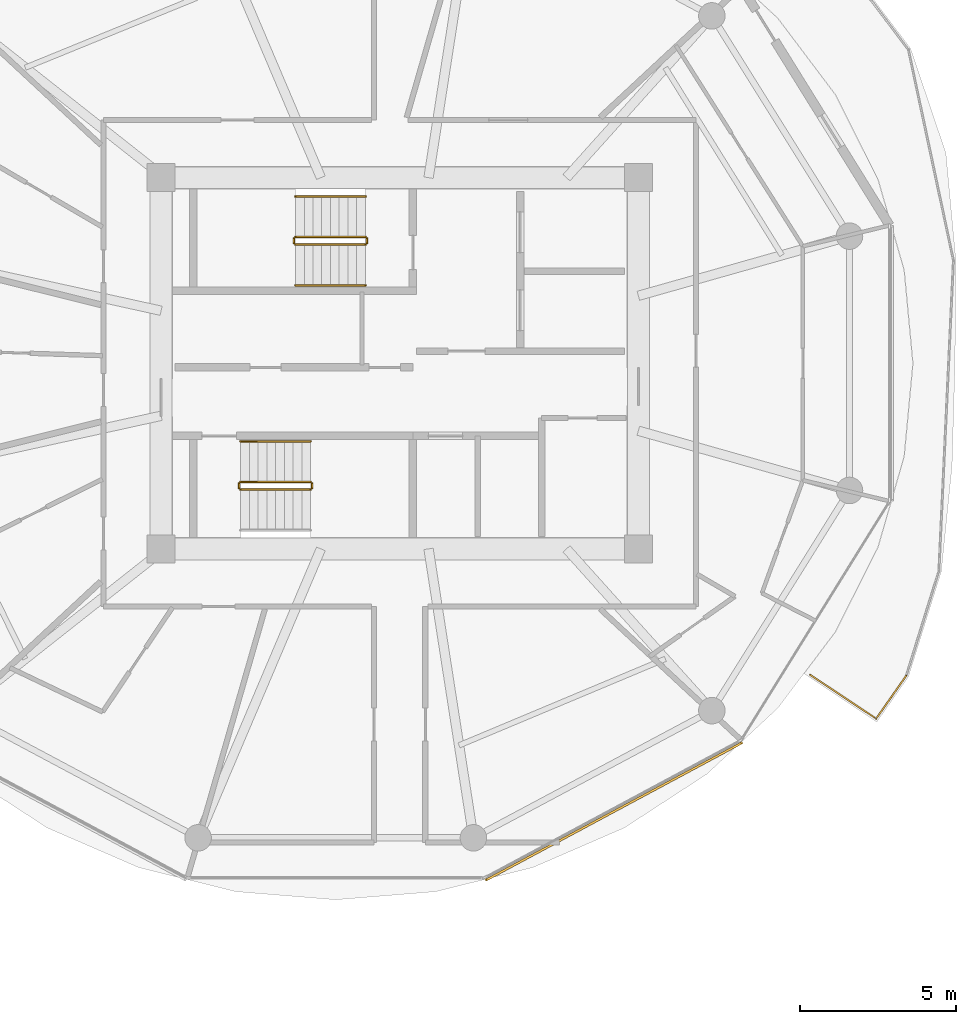
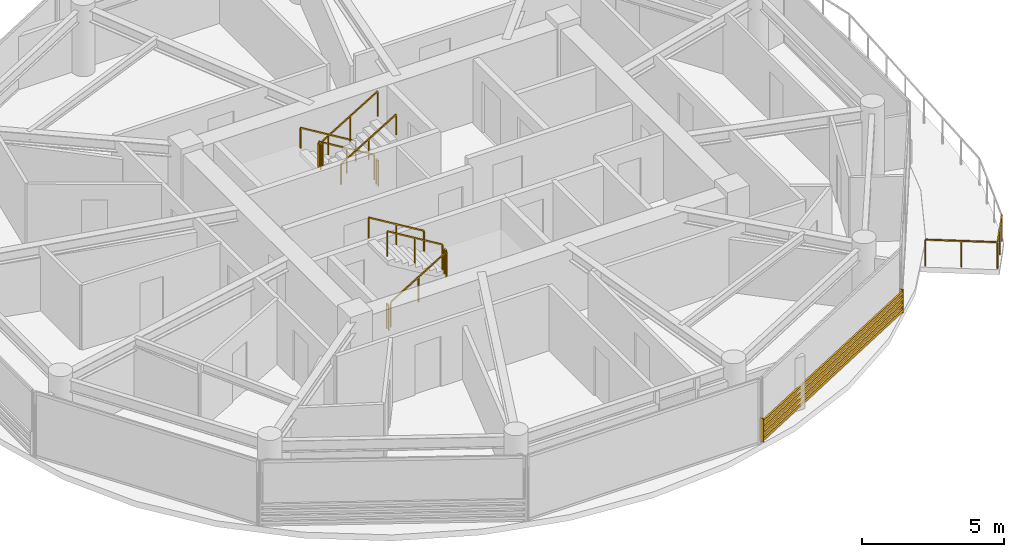
# One storey, part 23 of 24: 12 railings, 1 shading device.
"""IFC4 building model written with IfcOpenShell, lengths in metres."""

from ifc_helpers import new_model, si_unit, direction, frame, origin, origin_2d, place, context, subcontext, project, spatial, rectangle, extrude, source, transform, mapped, material, type_object, type_shapes, element, save


model = new_model("IFC4")

# Units and contexts
model_context = context("Model", 3, precision=1e-05, world=origin(), true_north=direction((0.0, 1.0)))
body_context = subcontext(model_context, "Body", "Model", "MODEL_VIEW")
ifc_project = project(units=[si_unit("LENGTHUNIT", "METRE"), si_unit("AREAUNIT", "SQUARE_METRE"), si_unit("VOLUMEUNIT", "CUBIC_METRE"), si_unit("PLANEANGLEUNIT", "RADIAN"), si_unit("MASSUNIT", "GRAM", prefix="KILO")], contexts=[model_context])

# Site, building, storey
site_placement = place(None, origin())
site = spatial("IfcSite", under=ifc_project, at=site_placement, CompositionType="ELEMENT")
building_placement = place(site_placement, origin())
building = spatial("IfcBuilding", under=site, at=building_placement, Name="Norrkilde Senior Care Towers", CompositionType="ELEMENT")
storey_placement = place(building_placement, frame((0.0, 0.0, 102.35009765625)))
storey = spatial("IfcBuildingStorey", under=building, at=storey_placement, Name="L31", CompositionType="ELEMENT", Elevation=102.35009765625)

# Railings
ifc_material_1 = material(Name="Anodised Aluminium", Category="aluminium")
railing_type_1 = type_object("IfcRailingType", Name="Balcony Swirl Ribbon Guardrail 1150", PredefinedType="GUARDRAIL", material=ifc_material_1)
railing_1_placement = place(storey_placement, frame((44.23681640625, -10.01611328125, 0.0)))
element("IfcRailing", 1, at=railing_1_placement, inside=storey, type_object=railing_type_1, Name="L31 Perimeter Safety Guard 01", PredefinedType="GUARDRAIL", context=body_context, shape_type="SweptSolid", body=[
    extrude(rectangle(XDim=0.048095703125, YDim=0.048095703125, at=origin_2d()), frame((0.0, 0.0, 1.1259765625), z_axis=(-0.573423292687, -0.819259255306, 0.0), x_axis=(0.819259255306, -0.573423292687, 0.0)), (0.0, 0.0, 1.0), 1.637451171875),
    extrude(rectangle(XDim=0.048095703125, YDim=0.048095703125, at=origin_2d()), frame((-0.99658203125, -1.352294921875, 1.1259765625), z_axis=(-0.833405836431, 0.552661480295, 0.0), x_axis=(-0.552661480295, -0.833405836431, 0.0)), (0.0, 0.0, 1.0), 2.503662109375),
    extrude(rectangle(XDim=0.0419921875, YDim=0.0419921875, at=origin_2d()), origin(), (0.0, 0.0, 1.0), 1.099853515625),
    extrude(rectangle(XDim=0.0419921875, YDim=0.0419921875, at=origin_2d()), frame((-0.481201171875, -0.6875, 0.0)), (0.0, 0.0, 1.0), 1.099853515625),
    extrude(rectangle(XDim=0.0419921875, YDim=0.0419921875, at=origin_2d()), frame((-0.96240234375, -1.375, 0.0)), (0.0, 0.0, 1.0), 1.099853515625),
    extrude(rectangle(XDim=0.0419921875, YDim=0.0419921875, at=origin_2d()), frame((-2.022705078125, -0.671875, 0.0)), (0.0, 0.0, 1.0), 1.099853515625),
    extrude(rectangle(XDim=0.0419921875, YDim=0.0419921875, at=origin_2d()), frame((-3.0830078125, 0.03125, 0.0)), (0.0, 0.0, 1.0), 1.099853515625),
])
ifc_material_2 = material(Name="Stainless Steel", Category="steel")
railing_type_2 = type_object("IfcRailingType", Name="Stair and Terrace Guardrail 1100", PredefinedType="GUARDRAIL", material=ifc_material_2)
railing_2_placement = place(storey_placement, frame((26.89990234375, 4.050048828125, 0.16943359375)))
element("IfcRailing", 2, at=railing_2_placement, inside=storey, type_object=railing_type_2, Name="L31 ST-E1 stair guard 1", PredefinedType="GUARDRAIL", context=body_context, shape_type="SweptSolid", body=[
    extrude(rectangle(XDim=0.048095703125, YDim=0.048095703125, at=origin_2d()), frame((0.0, 0.0, 1.076171875), z_axis=(-0.855553338991, 0.0, 0.51771467445), x_axis=(0.0, -1.0, 0.0)), (0.0, 0.0, 1.0), 2.6181640625),
    extrude(rectangle(XDim=0.0419921875, YDim=0.0419921875, at=origin_2d()), origin(), (0.0, 0.0, 1.0), 1.050048828125),
    extrude(rectangle(XDim=0.0419921875, YDim=0.0419921875, at=origin_2d()), frame((-1.1201171875, 0.0, 0.677734375)), (0.0, 0.0, 1.0), 1.050048828125),
    extrude(rectangle(XDim=0.0419921875, YDim=0.0419921875, at=origin_2d()), frame((-2.239990234375, 0.0, 1.35546875)), (0.0, 0.0, 1.0), 1.050048828125),
])
railing_3_placement = place(storey_placement, frame((24.610107421875, 4.0, 1.52490234375)))
element("IfcRailing", 3, at=railing_3_placement, inside=storey, type_object=railing_type_2, Name="L31 ST-E1 stair guard 2", PredefinedType="GUARDRAIL", context=body_context, shape_type="SweptSolid", body=[
    extrude(rectangle(XDim=0.048095703125, YDim=0.048095703125, at=origin_2d()), frame((0.0, 0.0, 1.076171875), z_axis=(0.0, -1.0, 0.0), x_axis=(1.0, 0.0, 0.0)), (0.0, 0.0, 1.0), 0.14990234375),
    extrude(rectangle(XDim=0.0419921875, YDim=0.0419921875, at=origin_2d()), origin(), (0.0, 0.0, 1.0), 1.050048828125),
    extrude(rectangle(XDim=0.0419921875, YDim=0.0419921875, at=origin_2d()), frame((0.0, -0.14990234375, 0.0)), (0.0, 0.0, 1.0), 1.050048828125),
])
railing_4_placement = place(storey_placement, frame((24.659912109375, 3.800048828125, 1.6943359375)))
element("IfcRailing", 4, at=railing_4_placement, inside=storey, type_object=railing_type_2, Name="L31 ST-E1 stair guard 3", PredefinedType="GUARDRAIL", context=body_context, shape_type="SweptSolid", body=[
    extrude(rectangle(XDim=0.048095703125, YDim=0.048095703125, at=origin_2d()), frame((0.0, 0.0, 1.076171875), z_axis=(0.855553338991, 0.0, 0.51771467445), x_axis=(0.0, 1.0, 0.0)), (0.0, 0.0, 1.0), 2.6181640625),
    extrude(rectangle(XDim=0.0419921875, YDim=0.0419921875, at=origin_2d()), origin(), (0.0, 0.0, 1.0), 1.050048828125),
    extrude(rectangle(XDim=0.0419921875, YDim=0.0419921875, at=origin_2d()), frame((1.1201171875, 0.0, 0.677734375)), (0.0, 0.0, 1.0), 1.050048828125),
    extrude(rectangle(XDim=0.0419921875, YDim=0.0419921875, at=origin_2d()), frame((2.239990234375, 0.0, 1.35546875)), (0.0, 0.0, 1.0), 1.050048828125),
])
railing_5_placement = place(storey_placement, frame((26.949951171875, 4.0, 0.0)))
element("IfcRailing", 5, at=railing_5_placement, inside=storey, type_object=railing_type_2, Name="L31 ST-E1 stair guard 4", PredefinedType="GUARDRAIL", context=body_context, shape_type="SweptSolid", body=[
    extrude(rectangle(XDim=0.048095703125, YDim=0.048095703125, at=origin_2d()), frame((0.0, 0.0, 1.076171875), z_axis=(0.0, -1.0, 0.0), x_axis=(1.0, 0.0, 0.0)), (0.0, 0.0, 1.0), 0.14990234375),
    extrude(rectangle(XDim=0.0419921875, YDim=0.0419921875, at=origin_2d()), origin(), (0.0, 0.0, 1.0), 1.050048828125),
    extrude(rectangle(XDim=0.0419921875, YDim=0.0419921875, at=origin_2d()), frame((0.0, -0.14990234375, 0.0)), (0.0, 0.0, 1.0), 1.050048828125),
])
railing_6_placement = place(storey_placement, frame((22.89990234375, -4.050048828125, 0.16943359375)))
element("IfcRailing", 6, at=railing_6_placement, inside=storey, type_object=railing_type_2, Name="L31 ST-E2 stair guard 1", PredefinedType="GUARDRAIL", context=body_context, shape_type="SweptSolid", body=[
    extrude(rectangle(XDim=0.048095703125, YDim=0.048095703125, at=origin_2d()), frame((0.0, 0.0, 1.076171875), z_axis=(0.855553338991, 0.0, 0.51771467445), x_axis=(0.0, 1.0, 0.0)), (0.0, 0.0, 1.0), 2.6181640625),
    extrude(rectangle(XDim=0.0419921875, YDim=0.0419921875, at=origin_2d()), origin(), (0.0, 0.0, 1.0), 1.050048828125),
    extrude(rectangle(XDim=0.0419921875, YDim=0.0419921875, at=origin_2d()), frame((1.1201171875, 0.0, 0.677734375)), (0.0, 0.0, 1.0), 1.050048828125),
    extrude(rectangle(XDim=0.0419921875, YDim=0.0419921875, at=origin_2d()), frame((2.239990234375, 0.0, 1.35546875)), (0.0, 0.0, 1.0), 1.050048828125),
])
railing_7_placement = place(storey_placement, frame((25.18994140625, -4.0, 1.52490234375)))
element("IfcRailing", 7, at=railing_7_placement, inside=storey, type_object=railing_type_2, Name="L31 ST-E2 stair guard 2", PredefinedType="GUARDRAIL", context=body_context, shape_type="SweptSolid", body=[
    extrude(rectangle(XDim=0.048095703125, YDim=0.048095703125, at=origin_2d()), frame((0.0, 0.0, 1.076171875), z_axis=(0.0, 1.0, 0.0), x_axis=(-1.0, 0.0, 0.0)), (0.0, 0.0, 1.0), 0.14990234375),
    extrude(rectangle(XDim=0.0419921875, YDim=0.0419921875, at=origin_2d()), origin(), (0.0, 0.0, 1.0), 1.050048828125),
    extrude(rectangle(XDim=0.0419921875, YDim=0.0419921875, at=origin_2d()), frame((0.0, 0.14990234375, 0.0)), (0.0, 0.0, 1.0), 1.050048828125),
])
railing_8_placement = place(storey_placement, frame((25.139892578125, -3.800048828125, 1.6943359375)))
element("IfcRailing", 8, at=railing_8_placement, inside=storey, type_object=railing_type_2, Name="L31 ST-E2 stair guard 3", PredefinedType="GUARDRAIL", context=body_context, shape_type="SweptSolid", body=[
    extrude(rectangle(XDim=0.048095703125, YDim=0.048095703125, at=origin_2d()), frame((0.0, 0.0, 1.076171875), z_axis=(-0.855553338991, 0.0, 0.51771467445), x_axis=(0.0, -1.0, 0.0)), (0.0, 0.0, 1.0), 2.6181640625),
    extrude(rectangle(XDim=0.0419921875, YDim=0.0419921875, at=origin_2d()), origin(), (0.0, 0.0, 1.0), 1.050048828125),
    extrude(rectangle(XDim=0.0419921875, YDim=0.0419921875, at=origin_2d()), frame((-1.1201171875, 0.0, 0.677734375)), (0.0, 0.0, 1.0), 1.050048828125),
    extrude(rectangle(XDim=0.0419921875, YDim=0.0419921875, at=origin_2d()), frame((-2.239990234375, 0.0, 1.35546875)), (0.0, 0.0, 1.0), 1.050048828125),
])
railing_9_placement = place(storey_placement, frame((22.85009765625, -4.0, 0.0)))
element("IfcRailing", 9, at=railing_9_placement, inside=storey, type_object=railing_type_2, Name="L31 ST-E2 stair guard 4", PredefinedType="GUARDRAIL", context=body_context, shape_type="SweptSolid", body=[
    extrude(rectangle(XDim=0.048095703125, YDim=0.048095703125, at=origin_2d()), frame((0.0, 0.0, 1.076171875), z_axis=(0.0, 1.0, 0.0), x_axis=(-1.0, 0.0, 0.0)), (0.0, 0.0, 1.0), 0.14990234375),
    extrude(rectangle(XDim=0.0419921875, YDim=0.0419921875, at=origin_2d()), origin(), (0.0, 0.0, 1.0), 1.050048828125),
    extrude(rectangle(XDim=0.0419921875, YDim=0.0419921875, at=origin_2d()), frame((0.0, 0.14990234375, 0.0)), (0.0, 0.0, 1.0), 1.050048828125),
])
ifc_material_3 = material(Name="Nordic Ash Timber", Category="wood")
railing_type_3 = type_object("IfcRailingType", Name="Wall and Stair Handrail 900", PredefinedType="HANDRAIL", material=ifc_material_3)
railing_10_placement = place(storey_placement, frame((26.89990234375, 5.35009765625, 0.16943359375)))
element("IfcRailing", 10, at=railing_10_placement, inside=storey, type_object=railing_type_3, Name="L31 ST-E1 stair handrail 1", PredefinedType="HANDRAIL", context=body_context, shape_type="SweptSolid", body=[
    extrude(rectangle(XDim=0.048095703125, YDim=0.048095703125, at=origin_2d()), frame((0.0, 0.0, 0.8759765625), z_axis=(-0.855553338991, 0.0, 0.51771467445), x_axis=(0.0, -1.0, 0.0)), (0.0, 0.0, 1.0), 2.6181640625),
    extrude(rectangle(XDim=0.0419921875, YDim=0.0419921875, at=origin_2d()), origin(), (0.0, 0.0, 1.0), 0.849853515625),
    extrude(rectangle(XDim=0.0419921875, YDim=0.0419921875, at=origin_2d()), frame((-1.1201171875, 0.0, 0.677734375)), (0.0, 0.0, 1.0), 0.849853515625),
    extrude(rectangle(XDim=0.0419921875, YDim=0.0419921875, at=origin_2d()), frame((-2.239990234375, 0.0, 1.35546875)), (0.0, 0.0, 1.0), 0.849853515625),
])
railing_11_placement = place(storey_placement, frame((24.659912109375, 2.5, 1.6943359375)))
element("IfcRailing", 11, at=railing_11_placement, inside=storey, type_object=railing_type_3, Name="L31 ST-E1 stair handrail 2", PredefinedType="HANDRAIL", context=body_context, shape_type="SweptSolid", body=[
    extrude(rectangle(XDim=0.048095703125, YDim=0.048095703125, at=origin_2d()), frame((0.0, 0.0, 0.8759765625), z_axis=(0.855553338991, 0.0, 0.51771467445), x_axis=(0.0, 1.0, 0.0)), (0.0, 0.0, 1.0), 2.6181640625),
    extrude(rectangle(XDim=0.0419921875, YDim=0.0419921875, at=origin_2d()), origin(), (0.0, 0.0, 1.0), 0.849853515625),
    extrude(rectangle(XDim=0.0419921875, YDim=0.0419921875, at=origin_2d()), frame((1.1201171875, 0.0, 0.677734375)), (0.0, 0.0, 1.0), 0.849853515625),
    extrude(rectangle(XDim=0.0419921875, YDim=0.0419921875, at=origin_2d()), frame((2.239990234375, 0.0, 1.35546875)), (0.0, 0.0, 1.0), 0.849853515625),
])
railing_12_placement = place(storey_placement, frame((25.139892578125, -2.5, 1.6943359375)))
element("IfcRailing", 12, at=railing_12_placement, inside=storey, type_object=railing_type_3, Name="L31 ST-E2 stair handrail 2", PredefinedType="HANDRAIL", context=body_context, shape_type="SweptSolid", body=[
    extrude(rectangle(XDim=0.048095703125, YDim=0.048095703125, at=origin_2d()), frame((0.0, 0.0, 0.8759765625), z_axis=(-0.855553338991, 0.0, 0.51771467445), x_axis=(0.0, -1.0, 0.0)), (0.0, 0.0, 1.0), 2.6181640625),
    extrude(rectangle(XDim=0.0419921875, YDim=0.0419921875, at=origin_2d()), origin(), (0.0, 0.0, 1.0), 0.849853515625),
    extrude(rectangle(XDim=0.0419921875, YDim=0.0419921875, at=origin_2d()), frame((-1.1201171875, 0.0, 0.677734375)), (0.0, 0.0, 1.0), 0.849853515625),
    extrude(rectangle(XDim=0.0419921875, YDim=0.0419921875, at=origin_2d()), frame((-2.239990234375, 0.0, 1.35546875)), (0.0, 0.0, 1.0), 0.849853515625),
])

# Shading device
ifc_material_4 = material(Name="Architectural Terracotta", Category="masonry")
shading_device_type = type_object("IfcShadingDeviceType", Name="Horizontal Terracotta Baguette Rack", PredefinedType="USERDEFINED", material=ifc_material_4)
shared_shape = source(origin(), body_context, "Body", "SweptSolid", [
    extrude(rectangle(XDim=0.070068359375, YDim=0.110107421875, at=origin_2d()), frame((0.0, 0.090087890625, 0.125), z_axis=(1.0, 0.0, 0.0), x_axis=(0.0, 1.0, 0.0)), (0.0, 0.0, 1.0), 9.3505859375),
    extrude(rectangle(XDim=0.070068359375, YDim=0.110107421875, at=origin_2d()), frame((0.0, 0.090087890625, 0.375), z_axis=(1.0, 0.0, 0.0), x_axis=(0.0, 1.0, 0.0)), (0.0, 0.0, 1.0), 9.3505859375),
    extrude(rectangle(XDim=0.070068359375, YDim=0.110107421875, at=origin_2d()), frame((0.0, 0.090087890625, 0.625), z_axis=(1.0, 0.0, 0.0), x_axis=(0.0, 1.0, 0.0)), (0.0, 0.0, 1.0), 9.3505859375),
    extrude(rectangle(XDim=0.070068359375, YDim=0.110107421875, at=origin_2d()), frame((0.0, 0.090087890625, 0.875), z_axis=(1.0, 0.0, 0.0), x_axis=(0.0, 1.0, 0.0)), (0.0, 0.0, 1.0), 9.3505859375),
    extrude(rectangle(XDim=0.050048828125, YDim=0.1552734375, at=origin_2d()), frame((0.02490234375, 0.047607421875, 0.0)), (0.0, 0.0, 1.0), 1.0),
    extrude(rectangle(XDim=0.050048828125, YDim=0.1552734375, at=origin_2d()), frame((9.32568359375, 0.047607421875, 0.0)), (0.0, 0.0, 1.0), 1.0),
])
type_shapes(shading_device_type, [shared_shape])
shading_device_placement = place(storey_placement, frame((38.946533203125, -12.077392578125, 0.079833984375), z_axis=(0.0, 0.0, 1.0), x_axis=(-0.881174934726, -0.472767624021, 0.0)))
element("IfcShadingDevice", 13, at=shading_device_placement, inside=storey, type_object=shading_device_type, Name="L31 Drum E Terracotta Baguette Screen 09", ObjectType="BAGUETTE", PredefinedType="USERDEFINED", context=body_context, shape_type="MappedRepresentation", body=[
    mapped(shared_shape, transform((0.0, 0.0, 0.0), x_axis=(1.0, 0.0, 0.0), y_axis=(0.0, 1.0, 0.0), z_axis=(0.0, 0.0, 1.0), scale=1.0)),
])

save(model, "model.ifc")
